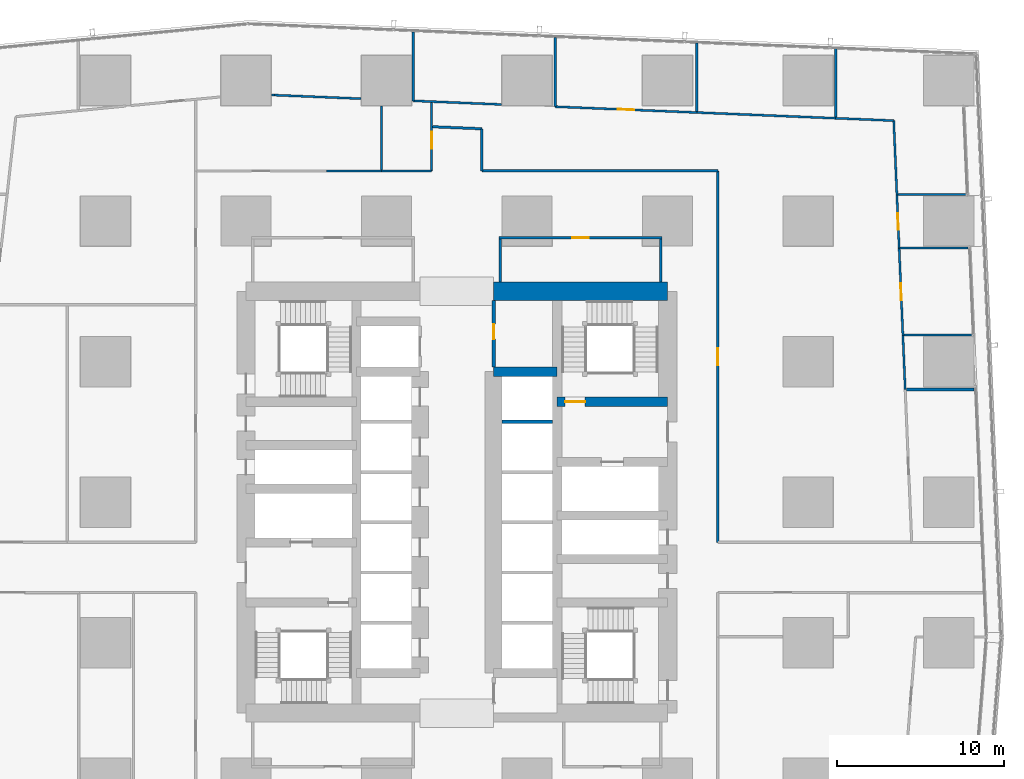
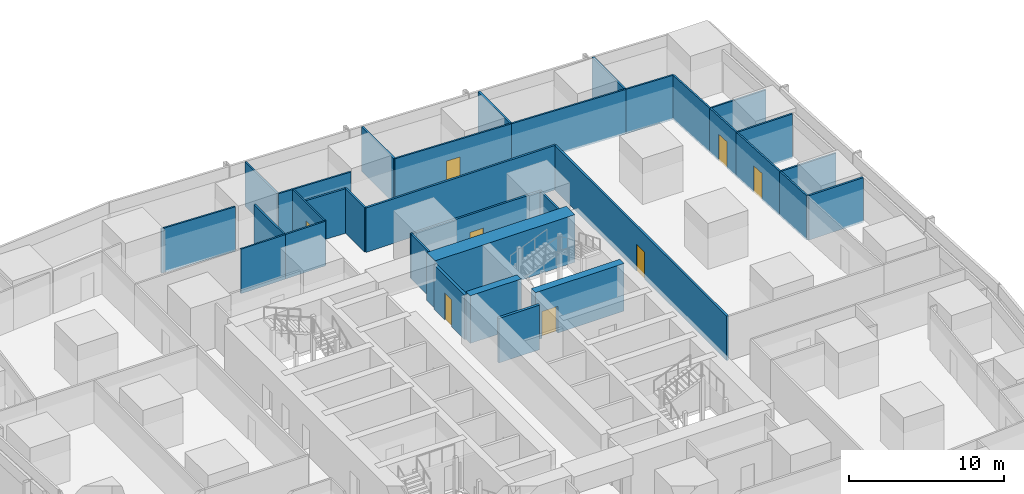
# One storey, part 35 of 45: 34 walls, 8 doors, 8 openings.
"""IFC4 building model written with IfcOpenShell, lengths in metres."""

from ifc_helpers import new_model, si_unit, direction, frame, frame_2d, origin, place, context, subcontext, project, spatial, rectangle, extrude, material, layer, layer_set, type_object, element, fill, save


model = new_model("IFC4")

# Units and contexts
model_context = context("Model", 3, precision=1e-05, world=origin(), true_north=direction((0.0, 1.0)))
body_context = subcontext(model_context, "Body", "Model", "MODEL_VIEW")
ifc_project = project(units=[si_unit("LENGTHUNIT", "METRE"), si_unit("AREAUNIT", "SQUARE_METRE"), si_unit("VOLUMEUNIT", "CUBIC_METRE"), si_unit("PLANEANGLEUNIT", "RADIAN"), si_unit("MASSUNIT", "GRAM", prefix="KILO")], contexts=[model_context])

# Site, building, storey
site_placement = place(None, origin())
site = spatial("IfcSite", under=ifc_project, at=site_placement, CompositionType="ELEMENT")
building_placement = place(site_placement, origin())
building = spatial("IfcBuilding", under=site, at=building_placement, Name="Rekha Terrace Tower", CompositionType="ELEMENT")
storey_placement = place(building_placement, frame((0.0, 0.0, 77.89990234375)))
storey = spatial("IfcBuildingStorey", under=building, at=storey_placement, Name="L19", CompositionType="ELEMENT", Elevation=77.89990234375)

# Wall
ifc_material_1 = material(Name="Concrete M70", Category="concrete")
ifc_layer_1 = layer(ifc_material_1, 0.550048828125)
ifc_layer_set_1 = layer_set([ifc_layer_1], Name="Concrete M70")
wall_type_1 = type_object("IfcWallType", Name="CI1 550 core internal shear wall", PredefinedType="SHEAR", material=ifc_layer_set_1)
wall_1_placement = place(storey_placement, frame((40.0, 41.39990234375, 0.0), z_axis=(0.0, 0.0, 1.0), x_axis=(1.0, 0.0, 0.0)))
element("IfcWall", 1, at=wall_1_placement, inside=storey, type_object=wall_type_1, Name="Core wall Y414E L19", PredefinedType="SHEAR", context=body_context, shape_type="SweptSolid", body=[
    extrude(rectangle(XDim=3.800048828125, YDim=0.550048828125, at=frame_2d((1.89990234375, 0.0))), origin(), (0.0, 0.0, 1.0), 3.75),
])

# Wall, opening, door
wall_2_placement = place(storey_placement, frame((43.800048828125, 39.60009765625, 0.0), z_axis=(0.0, 0.0, 1.0), x_axis=(1.0, 0.0, 0.0)))
wall_2 = element("IfcWall", 2, at=wall_2_placement, inside=storey, type_object=wall_type_1, Name="Core wall Y396E L19", PredefinedType="SHEAR", context=body_context, shape_type="SweptSolid", body=[
    extrude(rectangle(XDim=6.599853515625, YDim=0.550048828125, at=frame_2d((3.2998046875, 0.0))), origin(), (0.0, 0.0, 1.0), 3.75),
])
opening_1_placement = place(wall_2_placement, frame((0.47509765625, 0.0, 0.0)))
opening_1 = element("IfcOpeningElement", 3, at=opening_1_placement, cuts=wall_2, Name="Opening D1", PredefinedType="OPENING", context=body_context, shape_type="SweptSolid", body=[
    extrude(rectangle(XDim=1.199951171875, YDim=2.10009765625, at=frame_2d((0.60009765625, 1.050048828125))), frame((0.0, 0.284912109375, 0.0), z_axis=(0.0, -1.0, 0.0), x_axis=(1.0, 0.0, 0.0)), (0.0, 0.0, 1.0), 0.570068359375),
])
ifc_material_2 = material(Name="Steel fire door", Category="steel")
door_type_1 = type_object("IfcDoorType", Name="D1 1200x2100 stair fire door", OperationType="SINGLE_SWING_RIGHT", PredefinedType="DOOR", material=ifc_material_2)
door_1_placement = place(opening_1_placement, origin())
door_1 = element("IfcDoor", 4, at=door_1_placement, inside=storey, type_object=door_type_1, Name="Stair ST2 door L19", OperationType="SINGLE_SWING_RIGHT", OverallHeight=2.10009765625, OverallWidth=1.199951171875, PredefinedType="DOOR", context=body_context, shape_type="SweptSolid", body=[
    extrude(rectangle(XDim=1.199951171875, YDim=2.10009765625, at=frame_2d((0.60009765625, 1.050048828125))), frame((0.0, 0.02490234375, 0.0), z_axis=(0.0, -1.0, 0.0), x_axis=(1.0, 0.0, 0.0)), (0.0, 0.0, 1.0), 0.050048828125),
])
fill(opening_1, door_1)

# Wall
ifc_layer_2 = layer(ifc_material_1, 1.10009765625)
ifc_layer_set_2 = layer_set([ifc_layer_2], Name="Concrete M70")
wall_type_2 = type_object("IfcWallType", Name="SW1 1100 core outer shear wall", PredefinedType="SHEAR", material=ifc_layer_set_2)
wall_3_placement = place(storey_placement, frame((40.0, 46.199951171875, 0.0), z_axis=(0.0, 0.0, 1.0), x_axis=(1.0, 0.0, 0.0)))
element("IfcWall", 5, at=wall_3_placement, inside=storey, type_object=wall_type_2, Name="Core wall N2 L19", PredefinedType="SHEAR", context=body_context, shape_type="SweptSolid", body=[
    extrude(rectangle(XDim=10.39990234375, YDim=1.10009765625, at=frame_2d((5.199951171875, 0.0))), origin(), (0.0, 0.0, 1.0), 3.75),
])

# Wall, opening, door
ifc_material_3 = material(Name="Concrete block masonry, 1 hour", Category="masonry")
ifc_layer_3 = layer(ifc_material_3, 0.14990234375)
ifc_layer_set_3 = layer_set([ifc_layer_3], Name="Concrete block masonry, 1 hour")
wall_type_3 = type_object("IfcWallType", Name="WP2 150 tenancy partition", PredefinedType="PARTITIONING", material=ifc_layer_set_3)
wall_4_placement = place(storey_placement, frame((40.324951171875, 49.39990234375, 0.0), z_axis=(0.0, 0.0, 1.0), x_axis=(1.0, 0.0, 0.0)))
wall_4 = element("IfcWall", 6, at=wall_4_placement, inside=storey, type_object=wall_type_3, Name="Women's WC wall L19", PredefinedType="PARTITIONING", context=body_context, shape_type="SweptSolid", body=[
    extrude(rectangle(XDim=9.75, YDim=0.14990234375, at=frame_2d((4.875, 0.0))), origin(), (0.0, 0.0, 1.0), 3.5),
])
opening_2_placement = place(wall_4_placement, frame((4.375, 0.0, 0.0)))
opening_2 = element("IfcOpeningElement", 7, at=opening_2_placement, cuts=wall_4, Name="Opening D3", PredefinedType="OPENING", context=body_context, shape_type="SweptSolid", body=[
    extrude(rectangle(XDim=1.0, YDim=2.10009765625, at=frame_2d((0.5, 1.050048828125))), frame((0.0, 0.0849609375, 0.0), z_axis=(0.0, -1.0, 0.0), x_axis=(1.0, 0.0, 0.0)), (0.0, 0.0, 1.0), 0.169921875),
])
ifc_material_4 = material(Name="Laminated timber fire door", Category="wood")
door_type_2 = type_object("IfcDoorType", Name="D3 1000x2100 WC door", OperationType="SINGLE_SWING_LEFT", PredefinedType="DOOR", material=ifc_material_4)
door_2_placement = place(opening_2_placement, origin())
door_2 = element("IfcDoor", 8, at=door_2_placement, inside=storey, type_object=door_type_2, Name="Door women's wc L19", OperationType="SINGLE_SWING_LEFT", OverallHeight=2.10009765625, OverallWidth=1.0, PredefinedType="DOOR", context=body_context, shape_type="SweptSolid", body=[
    extrude(rectangle(XDim=1.0, YDim=2.10009765625, at=frame_2d((0.5, 1.050048828125))), frame((0.0, 0.02490234375, 0.0), z_axis=(0.0, -1.0, 0.0), x_axis=(1.0, 0.0, 0.0)), (0.0, 0.0, 1.0), 0.050048828125),
])
fill(opening_2, door_2)

# Walls
for number, where, z_axis, x_axis, name in (
    (9, (40.39990234375, 46.75, 0.0), (0.0, 0.0, 1.0), (0.0, 1.0, 0.0), "Women's WC wall L19"),
    (10, (50.0, 46.75, 0.0), (0.0, 0.0, 1.0), (0.0, 1.0, 0.0), "Women's WC wall L19"),
):
    element("IfcWall", number, at=place(storey_placement, frame(where, z_axis=z_axis, x_axis=x_axis)), inside=storey, type_object=wall_type_3, Name=name, PredefinedType="PARTITIONING", context=body_context, shape_type="SweptSolid", body=[
        extrude(rectangle(XDim=2.574951171875, YDim=0.14990234375, at=frame_2d((1.28759765625, 0.0))), origin(), (0.0, 0.0, 1.0), 3.5),
    ])
wall_5_placement = place(storey_placement, frame((64.6640625, 40.3369140625, 0.0), z_axis=(0.0, 0.0, 1.0), x_axis=(1.0, 0.0, 0.0)))
element("IfcWall", 11, at=wall_5_placement, inside=storey, type_object=wall_type_3, Name="Partition L19-O3", PredefinedType="PARTITIONING", context=body_context, shape_type="SweptSolid", body=[
    extrude(rectangle(XDim=4.06103515625, YDim=0.14990234375, at=frame_2d((2.030517578125, 0.0))), origin(), (0.0, 0.0, 1.0), 3.5),
])

# Wall, opening, door
wall_6_placement = place(storey_placement, frame((53.39990234375, 31.199951171875, 0.0), z_axis=(0.0, 0.0, 1.0), x_axis=(0.0, 1.0, 0.0)))
wall_6 = element("IfcWall", 12, at=wall_6_placement, inside=storey, type_object=wall_type_3, Name="Partition L19-O3", PredefinedType="PARTITIONING", context=body_context, shape_type="SweptSolid", body=[
    extrude(rectangle(XDim=22.199951171875, YDim=0.14990234375, at=frame_2d((11.10009765625, 0.0))), origin(), (0.0, 0.0, 1.0), 3.5),
])
opening_3_placement = place(wall_6_placement, frame((10.60009765625, 0.0, 0.0)))
opening_3 = element("IfcOpeningElement", 13, at=opening_3_placement, cuts=wall_6, Name="Opening D9", PredefinedType="OPENING", context=body_context, shape_type="SweptSolid", body=[
    extrude(rectangle(XDim=1.0, YDim=2.10009765625, at=frame_2d((0.5, 1.050048828125))), frame((0.0, 0.0849609375, 0.0), z_axis=(0.0, -1.0, 0.0), x_axis=(1.0, 0.0, 0.0)), (0.0, 0.0, 1.0), 0.169921875),
])
ifc_material_5 = material(Name="Timber fire door", Category="wood")
door_type_3 = type_object("IfcDoorType", Name="D9 1000x2100 office door", OperationType="SINGLE_SWING_LEFT", PredefinedType="DOOR", material=ifc_material_5)
door_3_placement = place(opening_3_placement, origin())
door_3 = element("IfcDoor", 14, at=door_3_placement, inside=storey, type_object=door_type_3, Name="Door open-plan office L19", OperationType="SINGLE_SWING_LEFT", OverallHeight=2.10009765625, OverallWidth=1.0, PredefinedType="DOOR", context=body_context, shape_type="SweptSolid", body=[
    extrude(rectangle(XDim=1.0, YDim=2.10009765625, at=frame_2d((0.5, 1.050048828125))), frame((0.0, 0.02490234375, 0.0), z_axis=(0.0, -1.0, 0.0), x_axis=(1.0, 0.0, 0.0)), (0.0, 0.0, 1.0), 0.050048828125),
])
fill(opening_3, door_3)

# Walls
wall_7_placement = place(storey_placement, frame((53.39990234375, 53.39990234375, 0.0), z_axis=(0.0, 0.0, 1.0), x_axis=(-1.0, 0.0, 0.0)))
element("IfcWall", 15, at=wall_7_placement, inside=storey, type_object=wall_type_3, Name="Partition L19-O3", PredefinedType="PARTITIONING", context=body_context, shape_type="SweptSolid", body=[
    extrude(rectangle(XDim=14.099853515625, YDim=0.14990234375, at=frame_2d((7.0498046875, 0.0))), origin(), (0.0, 0.0, 1.0), 3.5),
])
wall_8_placement = place(storey_placement, frame((39.300048828125, 53.39990234375, 0.0), z_axis=(0.0, 0.0, 1.0), x_axis=(0.0, 1.0, 0.0)))
element("IfcWall", 16, at=wall_8_placement, inside=storey, type_object=wall_type_3, Name="Partition L19-O3", PredefinedType="PARTITIONING", context=body_context, shape_type="SweptSolid", body=[
    extrude(rectangle(XDim=2.51904296875, YDim=0.14990234375, at=frame_2d((1.259521484375, 0.0))), origin(), (0.0, 0.0, 1.0), 3.5),
])
wall_9_placement = place(storey_placement, frame((39.300048828125, 55.9189453125, 0.0), z_axis=(0.0, 0.0, 1.0), x_axis=(-0.999151678571, 0.041181588214, 0.0)))
element("IfcWall", 17, at=wall_9_placement, inside=storey, type_object=wall_type_3, Name="Partition L19-O3", PredefinedType="PARTITIONING", context=body_context, shape_type="SweptSolid", body=[
    extrude(rectangle(XDim=2.9404296875, YDim=0.14990234375, at=frame_2d((1.47021484375, 0.0))), origin(), (0.0, 0.0, 1.0), 3.5),
])
wall_10_placement = place(storey_placement, frame((43.672119140625, 57.239990234375, 0.0), z_axis=(0.0, 0.0, 1.0), x_axis=(0.0, 1.0, 0.0)))
element("IfcWall", 18, at=wall_10_placement, inside=storey, type_object=wall_type_3, Name="Partition L19-O3", PredefinedType="PARTITIONING", context=body_context, shape_type="SweptSolid", body=[
    extrude(rectangle(XDim=4.1240234375, YDim=0.14990234375, at=frame_2d((2.06201171875, 0.0))), origin(), (0.0, 0.0, 1.0), 3.5),
])
wall_11_placement = place(storey_placement, frame((52.14404296875, 56.9541015625, 0.0), z_axis=(0.0, 0.0, 1.0), x_axis=(0.0, 1.0, 0.0)))
element("IfcWall", 19, at=wall_11_placement, inside=storey, type_object=wall_type_3, Name="Partition L19-O3", PredefinedType="PARTITIONING", context=body_context, shape_type="SweptSolid", body=[
    extrude(rectangle(XDim=4.08984375, YDim=0.14990234375, at=frame_2d((2.044921875, 0.0))), origin(), (0.0, 0.0, 1.0), 3.5),
])
wall_12_placement = place(storey_placement, frame((60.43701171875, 56.612060546875, 0.0), z_axis=(0.0, 0.0, 1.0), x_axis=(0.0, 1.0, 0.0)))
element("IfcWall", 20, at=wall_12_placement, inside=storey, type_object=wall_type_3, Name="Partition L19-O3", PredefinedType="PARTITIONING", context=body_context, shape_type="SweptSolid", body=[
    extrude(rectangle(XDim=4.0908203125, YDim=0.14990234375, at=frame_2d((2.04541015625, 0.0))), origin(), (0.0, 0.0, 1.0), 3.5),
])
ifc_material_6 = material(Name="Two layers of fire-rated gypsum board each side on steel studs, acoustic quilt, 1 hour", Category="steel")
ifc_layer_4 = layer(ifc_material_6, 0.125)
ifc_layer_set_4 = layer_set([ifc_layer_4], Name="Two layers of fire-rated gypsum board each side on steel studs, acoustic quilt, 1 hour")
wall_type_4 = type_object("IfcWallType", Name="WP3 125 office partition", PredefinedType="PARTITIONING", material=ifc_layer_set_4)
wall_13_placement = place(storey_placement, frame((64.52490234375, 43.593017578125, 0.0), z_axis=(0.0, 0.0, 1.0), x_axis=(1.0, 0.0, 0.0)))
element("IfcWall", 21, at=wall_13_placement, inside=storey, type_object=wall_type_4, Name="Partition L19-14", PredefinedType="PARTITIONING", context=body_context, shape_type="SweptSolid", body=[
    extrude(rectangle(XDim=4.06103515625, YDim=0.125, at=frame_2d((2.030517578125, 0.0))), origin(), (0.0, 0.0, 1.0), 3.5),
])
wall_14_placement = place(storey_placement, frame((64.60107421875, 40.337890625, 0.0), z_axis=(0.0, 0.0, 1.0), x_axis=(-0.042522765682, 0.999095498138, 0.0)))
element("IfcWall", 22, at=wall_14_placement, inside=storey, type_object=wall_type_4, Name="Partition L19-14", PredefinedType="PARTITIONING", context=body_context, shape_type="SweptSolid", body=[
    extrude(rectangle(XDim=3.220947265625, YDim=0.125, at=frame_2d((1.6103515625, 0.0))), origin(), (0.0, 0.0, 1.0), 3.5),
])

# Wall, opening, door
wall_15_placement = place(storey_placement, frame((64.464111328125, 43.556884765625, 0.0), z_axis=(0.0, 0.0, 1.0), x_axis=(-0.042868225882, 0.999080735081, 0.0)))
wall_15 = element("IfcWall", 23, at=wall_15_placement, inside=storey, type_object=wall_type_4, Name="Partition L19-15", PredefinedType="PARTITIONING", context=body_context, shape_type="SweptSolid", body=[
    extrude(rectangle(XDim=5.2509765625, YDim=0.125, at=frame_2d((2.62548828125, 0.0))), origin(), (0.0, 0.0, 1.0), 3.5),
])
opening_4_placement = place(wall_15_placement, frame((2.125, 0.0, 0.0)))
opening_4 = element("IfcOpeningElement", 24, at=opening_4_placement, cuts=wall_15, Name="Opening D9", PredefinedType="OPENING", context=body_context, shape_type="SweptSolid", body=[
    extrude(rectangle(XDim=1.0, YDim=2.10009765625, at=frame_2d((0.5, 1.050048828125))), frame((0.0, 0.072509765625, 0.0), z_axis=(0.0, -1.0, 0.0), x_axis=(1.0, 0.0, 0.0)), (0.0, 0.0, 1.0), 0.14501953125),
])
door_4_placement = place(opening_4_placement, origin())
door_4 = element("IfcDoor", 25, at=door_4_placement, inside=storey, type_object=door_type_3, Name="Door office L19", OperationType="SINGLE_SWING_LEFT", OverallHeight=2.10009765625, OverallWidth=1.0, PredefinedType="DOOR", context=body_context, shape_type="SweptSolid", body=[
    extrude(rectangle(XDim=1.0, YDim=2.10009765625, at=frame_2d((0.5, 1.050048828125))), frame((0.0, 0.02490234375, 0.0), z_axis=(0.0, -1.0, 0.0), x_axis=(1.0, 0.0, 0.0)), (0.0, 0.0, 1.0), 0.050048828125),
])
fill(opening_4, door_4)

# Wall
wall_16_placement = place(storey_placement, frame((64.239013671875, 48.802978515625, 0.0), z_axis=(0.0, 0.0, 1.0), x_axis=(1.0, 0.0, 0.0)))
element("IfcWall", 26, at=wall_16_placement, inside=storey, type_object=wall_type_4, Name="Partition L19-15", PredefinedType="PARTITIONING", context=body_context, shape_type="SweptSolid", body=[
    extrude(rectangle(XDim=4.1240234375, YDim=0.125, at=frame_2d((2.06201171875, 0.0))), origin(), (0.0, 0.0, 1.0), 3.5),
])

# Wall, opening, door
wall_17_placement = place(storey_placement, frame((64.239013671875, 48.803955078125, 0.0), z_axis=(0.0, 0.0, 1.0), x_axis=(-0.042483490494, 0.999097168966, 0.0)))
wall_17 = element("IfcWall", 27, at=wall_17_placement, inside=storey, type_object=wall_type_4, Name="Partition L19-16", PredefinedType="PARTITIONING", context=body_context, shape_type="SweptSolid", body=[
    extrude(rectangle(XDim=3.155029296875, YDim=0.125, at=frame_2d((1.57763671875, 0.0))), origin(), (0.0, 0.0, 1.0), 3.5),
])
opening_5_placement = place(wall_17_placement, frame((1.076904296875, 0.0, 0.0)))
opening_5 = element("IfcOpeningElement", 28, at=opening_5_placement, cuts=wall_17, Name="Opening D9", PredefinedType="OPENING", context=body_context, shape_type="SweptSolid", body=[
    extrude(rectangle(XDim=1.0, YDim=2.10009765625, at=frame_2d((0.5, 1.050048828125))), frame((0.0, 0.072509765625, 0.0), z_axis=(0.0, -1.0, 0.0), x_axis=(1.0, 0.0, 0.0)), (0.0, 0.0, 1.0), 0.14501953125),
])
door_5_placement = place(opening_5_placement, origin())
door_5 = element("IfcDoor", 29, at=door_5_placement, inside=storey, type_object=door_type_3, Name="Door office L19", OperationType="SINGLE_SWING_LEFT", OverallHeight=2.10009765625, OverallWidth=1.0, PredefinedType="DOOR", context=body_context, shape_type="SweptSolid", body=[
    extrude(rectangle(XDim=1.0, YDim=2.10009765625, at=frame_2d((0.5, 1.050048828125))), frame((0.0, 0.02490234375, 0.0), z_axis=(0.0, -1.0, 0.0), x_axis=(1.0, 0.0, 0.0)), (0.0, 0.0, 1.0), 0.050048828125),
])
fill(opening_5, door_5)

# Walls
wall_18_placement = place(storey_placement, frame((64.166015625, 51.991943359375, 0.0), z_axis=(0.0, 0.0, 1.0), x_axis=(1.0, 0.0, 0.0)))
element("IfcWall", 30, at=wall_18_placement, inside=storey, type_object=wall_type_4, Name="Partition L19-16", PredefinedType="PARTITIONING", context=body_context, shape_type="SweptSolid", body=[
    extrude(rectangle(XDim=4.06103515625, YDim=0.125, at=frame_2d((2.030517578125, 0.0))), origin(), (0.0, 0.0, 1.0), 3.5),
])
wall_19_placement = place(storey_placement, frame((64.10498046875, 51.95703125, 0.0), z_axis=(0.0, 0.0, 1.0), x_axis=(-0.042654443866, 0.999089885055, 0.0)))
element("IfcWall", 31, at=wall_19_placement, inside=storey, type_object=wall_type_4, Name="Partition L19-17", PredefinedType="PARTITIONING", context=body_context, shape_type="SweptSolid", body=[
    extrude(rectangle(XDim=4.453125, YDim=0.125, at=frame_2d((2.2265625, 0.0))), origin(), (0.0, 0.0, 1.0), 3.5),
])
wall_20_placement = place(storey_placement, frame((63.9150390625, 56.406005859375, 0.0), z_axis=(0.0, 0.0, 1.0), x_axis=(-0.999154106016, 0.041122651083, 0.0)))
element("IfcWall", 32, at=wall_20_placement, inside=storey, type_object=wall_type_4, Name="Partition L19-17", PredefinedType="PARTITIONING", context=body_context, shape_type="SweptSolid", body=[
    extrude(rectangle(XDim=3.47900390625, YDim=0.125, at=frame_2d((1.739501953125, 0.0))), origin(), (0.0, 0.0, 1.0), 3.5),
])
wall_21_placement = place(storey_placement, frame((60.43896484375, 56.549072265625, 0.0), z_axis=(0.0, 0.0, 1.0), x_axis=(-0.999150520973, 0.041209664387, 0.0)))
element("IfcWall", 33, at=wall_21_placement, inside=storey, type_object=wall_type_4, Name="Partition L19-17", PredefinedType="PARTITIONING", context=body_context, shape_type="SweptSolid", body=[
    extrude(rectangle(XDim=8.300048828125, YDim=0.125, at=frame_2d((4.14990234375, 0.0))), origin(), (0.0, 0.0, 1.0), 3.5),
])

# Wall, opening, door
wall_22_placement = place(storey_placement, frame((52.14599609375, 56.89111328125, 0.0), z_axis=(0.0, 0.0, 1.0), x_axis=(-0.999153165495, 0.041145496484, 0.0)))
wall_22 = element("IfcWall", 34, at=wall_22_placement, inside=storey, type_object=wall_type_4, Name="Partition L19-17", PredefinedType="PARTITIONING", context=body_context, shape_type="SweptSolid", body=[
    extrude(rectangle(XDim=8.47900390625, YDim=0.125, at=frame_2d((4.239501953125, 0.0))), origin(), (0.0, 0.0, 1.0), 3.5),
])
opening_6_placement = place(wall_22_placement, frame((3.739990234375, 0.0, 0.0)))
opening_6 = element("IfcOpeningElement", 35, at=opening_6_placement, cuts=wall_22, Name="Opening D9", PredefinedType="OPENING", context=body_context, shape_type="SweptSolid", body=[
    extrude(rectangle(XDim=1.0, YDim=2.10009765625, at=frame_2d((0.5, 1.050048828125))), frame((0.0, 0.072509765625, 0.0), z_axis=(0.0, -1.0, 0.0), x_axis=(1.0, 0.0, 0.0)), (0.0, 0.0, 1.0), 0.14501953125),
])
door_6_placement = place(opening_6_placement, origin())
door_6 = element("IfcDoor", 36, at=door_6_placement, inside=storey, type_object=door_type_3, Name="Door office L19", OperationType="SINGLE_SWING_LEFT", OverallHeight=2.10009765625, OverallWidth=1.0, PredefinedType="DOOR", context=body_context, shape_type="SweptSolid", body=[
    extrude(rectangle(XDim=1.0, YDim=2.10009765625, at=frame_2d((0.5, 1.050048828125))), frame((0.0, 0.02490234375, 0.0), z_axis=(0.0, -1.0, 0.0), x_axis=(1.0, 0.0, 0.0)), (0.0, 0.0, 1.0), 0.050048828125),
])
fill(opening_6, door_6)

# Walls
wall_23_placement = place(storey_placement, frame((40.47998046875, 57.37109375, 0.0), z_axis=(0.0, 0.0, 1.0), x_axis=(-0.99914861605, 0.041255824392, 0.0)))
element("IfcWall", 37, at=wall_23_placement, inside=storey, type_object=wall_type_4, Name="Partition L19-17", PredefinedType="PARTITIONING", context=body_context, shape_type="SweptSolid", body=[
    extrude(rectangle(XDim=5.284423828125, YDim=0.125, at=frame_2d((2.64208984375, 0.0))), origin(), (0.0, 0.0, 1.0), 3.5),
])
wall_24_placement = place(storey_placement, frame((35.199951171875, 57.589111328125, 0.0), z_axis=(0.0, 0.0, 1.0), x_axis=(0.0, 1.0, 0.0)))
element("IfcWall", 38, at=wall_24_placement, inside=storey, type_object=wall_type_4, Name="Partition L19-17", PredefinedType="PARTITIONING", context=body_context, shape_type="SweptSolid", body=[
    extrude(rectangle(XDim=4.123779296875, YDim=0.125, at=frame_2d((2.06201171875, 0.0))), origin(), (0.0, 0.0, 1.0), 3.5),
])
wall_25_placement = place(storey_placement, frame((32.080078125, 57.718017578125, 0.0), z_axis=(0.0, 0.0, 1.0), x_axis=(-0.99915427175, 0.041118624049, 0.0)))
element("IfcWall", 39, at=wall_25_placement, inside=storey, type_object=wall_type_4, Name="Partition L19-18", PredefinedType="PARTITIONING", context=body_context, shape_type="SweptSolid", body=[
    extrude(rectangle(XDim=5.177490234375, YDim=0.125, at=frame_2d((2.5888671875, 0.0))), origin(), (0.0, 0.0, 1.0), 3.5),
])
wall_26_placement = place(storey_placement, frame((26.719970703125, 57.93896484375, 0.0), z_axis=(0.0, 0.0, 1.0), x_axis=(0.999073306043, -0.043041017101, 0.0)))
element("IfcWall", 40, at=wall_26_placement, inside=storey, type_object=wall_type_4, Name="Partition L19-20", PredefinedType="PARTITIONING", context=body_context, shape_type="SweptSolid", body=[
    extrude(rectangle(XDim=0.187255859375, YDim=0.125, at=frame_2d((0.09375, 0.0))), origin(), (0.0, 0.0, 1.0), 3.5),
])
wall_27_placement = place(storey_placement, frame((33.300048828125, 57.280029296875, 0.0), z_axis=(0.0, 0.0, 1.0), x_axis=(0.0, -1.0, 0.0)))
element("IfcWall", 41, at=wall_27_placement, inside=storey, type_object=wall_type_4, Name="Partition L19-21", PredefinedType="PARTITIONING", context=body_context, shape_type="SweptSolid", body=[
    extrude(rectangle(XDim=3.880126953125, YDim=0.125, at=frame_2d((1.93994140625, 0.0))), origin(), (0.0, 0.0, 1.0), 3.5),
])
wall_28_placement = place(storey_placement, frame((33.300048828125, 53.39990234375, 0.0), z_axis=(0.0, 0.0, 1.0), x_axis=(-1.0, 0.0, 0.0)))
element("IfcWall", 42, at=wall_28_placement, inside=storey, type_object=wall_type_4, Name="Partition L19-21", PredefinedType="PARTITIONING", context=body_context, shape_type="SweptSolid", body=[
    extrude(rectangle(XDim=3.300048828125, YDim=0.125, at=frame_2d((1.64990234375, 0.0))), origin(), (0.0, 0.0, 1.0), 3.5),
])

# Wall, opening, door
wall_29_placement = place(storey_placement, frame((36.300048828125, 57.48095703125, 0.0), z_axis=(0.0, 0.0, 1.0), x_axis=(0.0, -1.0, 0.0)))
wall_29 = element("IfcWall", 43, at=wall_29_placement, inside=storey, type_object=wall_type_4, Name="Partition L19-22", PredefinedType="PARTITIONING", context=body_context, shape_type="SweptSolid", body=[
    extrude(rectangle(XDim=4.0810546875, YDim=0.125, at=frame_2d((2.04052734375, 0.0))), origin(), (0.0, 0.0, 1.0), 3.5),
])
opening_7_placement = place(wall_29_placement, frame((1.75, 0.0, 0.0)))
opening_7 = element("IfcOpeningElement", 44, at=opening_7_placement, cuts=wall_29, Name="Opening D9", PredefinedType="OPENING", context=body_context, shape_type="SweptSolid", body=[
    extrude(rectangle(XDim=1.0, YDim=2.10009765625, at=frame_2d((0.5, 1.050048828125))), frame((0.0, 0.072509765625, 0.0), z_axis=(0.0, -1.0, 0.0), x_axis=(1.0, 0.0, 0.0)), (0.0, 0.0, 1.0), 0.14501953125),
])
door_7_placement = place(opening_7_placement, origin())
door_7 = element("IfcDoor", 45, at=door_7_placement, inside=storey, type_object=door_type_3, Name="Door storage room L19", OperationType="SINGLE_SWING_LEFT", OverallHeight=2.10009765625, OverallWidth=1.0, PredefinedType="DOOR", context=body_context, shape_type="SweptSolid", body=[
    extrude(rectangle(XDim=1.0, YDim=2.10009765625, at=frame_2d((0.5, 1.050048828125))), frame((0.0, 0.02490234375, 0.0), z_axis=(0.0, -1.0, 0.0), x_axis=(1.0, 0.0, 0.0)), (0.0, 0.0, 1.0), 0.050048828125),
])
fill(opening_7, door_7)

# Walls
wall_30_placement = place(storey_placement, frame((36.300048828125, 53.39990234375, 0.0), z_axis=(0.0, 0.0, 1.0), x_axis=(-1.0, 0.0, 0.0)))
element("IfcWall", 46, at=wall_30_placement, inside=storey, type_object=wall_type_4, Name="Partition L19-22", PredefinedType="PARTITIONING", context=body_context, shape_type="SweptSolid", body=[
    extrude(rectangle(XDim=3.0, YDim=0.125, at=frame_2d((1.5, 0.0))), origin(), (0.0, 0.0, 1.0), 3.5),
])
ifc_material_7 = material(Name="Solid concrete block masonry, 2 hour", Category="masonry")
ifc_layer_5 = layer(ifc_material_7, 0.199951171875)
ifc_layer_set_5 = layer_set([ifc_layer_5], Name="Solid concrete block masonry, 2 hour")
wall_type_5 = type_object("IfcWallType", Name="WS1 200 stair and shaft enclosure", PredefinedType="PARTITIONING", material=ifc_layer_set_5)
wall_31_placement = place(storey_placement, frame((40.5, 38.39990234375, 0.0), z_axis=(0.0, 0.0, 1.0), x_axis=(1.0, 0.0, 0.0)))
element("IfcWall", 47, at=wall_31_placement, inside=storey, type_object=wall_type_5, Name="Lift shaft divider L19", PredefinedType="PARTITIONING", context=body_context, shape_type="SweptSolid", body=[
    extrude(rectangle(XDim=3.02490234375, YDim=0.199951171875, at=frame_2d((1.512451171875, 0.0))), origin(), (0.0, 0.0, 1.0), 3.5),
])

# Wall, opening, door
wall_32_placement = place(storey_placement, frame((40.0, 41.675048828125, 0.0), z_axis=(0.0, 0.0, 1.0), x_axis=(0.0, 1.0, 0.0)))
wall_32 = element("IfcWall", 48, at=wall_32_placement, inside=storey, type_object=wall_type_5, Name="Core partition elec L19", PredefinedType="PARTITIONING", context=body_context, shape_type="SweptSolid", body=[
    extrude(rectangle(XDim=3.974853515625, YDim=0.199951171875, at=frame_2d((1.9873046875, 0.0))), origin(), (0.0, 0.0, 1.0), 3.5),
])
opening_8_placement = place(wall_32_placement, frame((1.675048828125, 0.0, 0.0)))
opening_8 = element("IfcOpeningElement", 49, at=opening_8_placement, cuts=wall_32, Name="Opening D5", PredefinedType="OPENING", context=body_context, shape_type="SweptSolid", body=[
    extrude(rectangle(XDim=0.89990234375, YDim=2.10009765625, at=frame_2d((0.449951171875, 1.050048828125))), frame((0.0, 0.10986328125, 0.0), z_axis=(0.0, -1.0, 0.0), x_axis=(1.0, 0.0, 0.0)), (0.0, 0.0, 1.0), 0.219970703125),
])
door_type_4 = type_object("IfcDoorType", Name="D5 900x2100 riser access door", OperationType="SINGLE_SWING_LEFT", PredefinedType="DOOR", material=ifc_material_2)
door_8_placement = place(opening_8_placement, origin())
door_8 = element("IfcDoor", 50, at=door_8_placement, inside=storey, type_object=door_type_4, Name="Door electrical room L19", OperationType="SINGLE_SWING_LEFT", OverallHeight=2.10009765625, OverallWidth=0.89990234375, PredefinedType="DOOR", context=body_context, shape_type="SweptSolid", body=[
    extrude(rectangle(XDim=0.89990234375, YDim=2.10009765625, at=frame_2d((0.449951171875, 1.050048828125))), frame((0.0, 0.02490234375, 0.0), z_axis=(0.0, -1.0, 0.0), x_axis=(1.0, 0.0, 0.0)), (0.0, 0.0, 1.0), 0.050048828125),
])
fill(opening_8, door_8)

save(model, "model.ifc")
